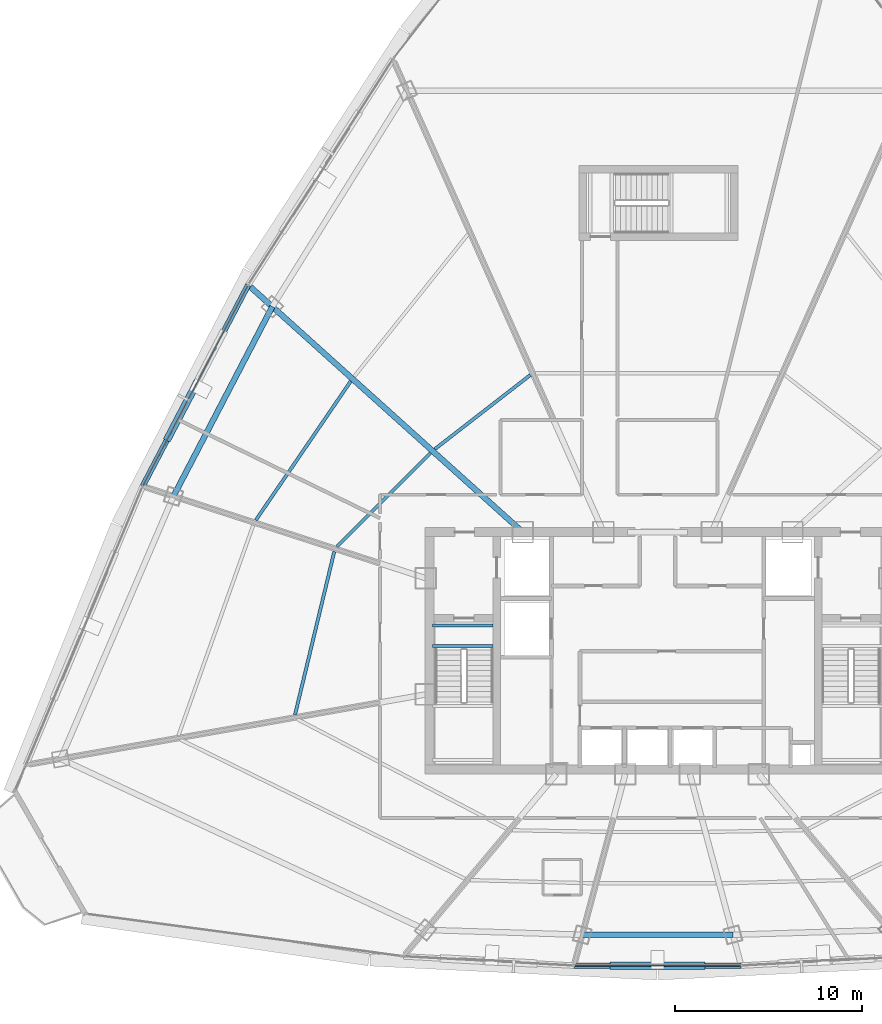
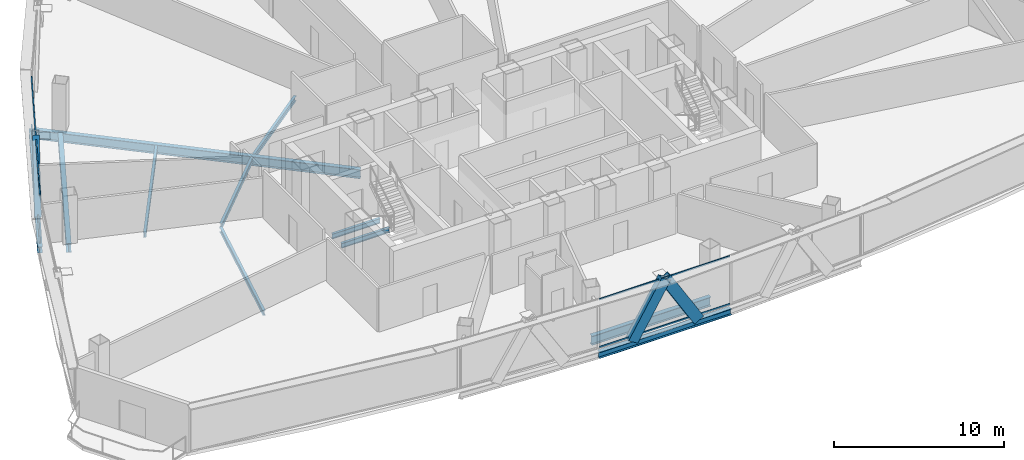
# One storey, part 9 of 37: 11 beams, 7 members, 2 elements without a shape of their own.
"""IFC4 building model written with IfcOpenShell, lengths in metres."""

from ifc_helpers import new_model, si_unit, direction, frame, origin, origin_2d, place, context, subcontext, project, spatial, hollow_rectangle, i_section, extrude, source, transform, mapped, material, layer, layer_set, material_profile, profile_set, type_object, element, aggregate, save


model = new_model("IFC4")

# Units and contexts
model_context = context("Model", 3, precision=1e-05, world=origin(), true_north=direction((0.0, 1.0)))
body_context = subcontext(model_context, "Body", "Model", "MODEL_VIEW")
ifc_project = project(units=[si_unit("LENGTHUNIT", "METRE"), si_unit("AREAUNIT", "SQUARE_METRE"), si_unit("VOLUMEUNIT", "CUBIC_METRE"), si_unit("PLANEANGLEUNIT", "RADIAN"), si_unit("MASSUNIT", "GRAM", prefix="KILO"), si_unit("THERMODYNAMICTEMPERATUREUNIT", "KELVIN"), si_unit("POWERUNIT", "WATT")], contexts=[model_context])

# Site, building, storey
site_placement = place(None, origin())
site = spatial("IfcSite", under=ifc_project, at=site_placement, CompositionType="ELEMENT")
building_placement = place(site_placement, origin())
building = spatial("IfcBuilding", under=site, at=building_placement, Name="Yunzhuo Pagoda Commons", CompositionType="ELEMENT")
storey_placement = place(building_placement, frame((0.0, 0.0, 259.449951171875)))
storey = spatial("IfcBuildingStorey", under=building, at=storey_placement, Name="L65", CompositionType="ELEMENT", Elevation=259.449951171875)

# Beams
ifc_material_1 = material(Name="Structural steel Q355B", Category="steel")
ifc_material_profile_1 = material_profile(ifc_material_1, i_section(OverallWidth=0.175048828125, OverallDepth=0.35009765625, WebThickness=0.007080078125, FlangeThickness=0.010986328125, at=origin_2d()), Name="Structural steel Q355B")
ifc_profile_set_1 = profile_set([ifc_material_profile_1], Name="Structural steel Q355B")
beam_type_1 = type_object("IfcBeamType", Name="B-JS2 Joist HN 350x175x7x11", PredefinedType="JOIST", material=ifc_profile_set_1)
shared_shape_1 = source(origin(), body_context, "Body", "SweptSolid", [
    extrude(i_section(OverallWidth=0.175048828125, OverallDepth=0.35009765625, WebThickness=0.007080078125, FlangeThickness=0.010986328125, at=origin_2d()), origin(), (0.0, 0.0, 1.0), 3.25),
])
for number, where, z_axis, x_axis, name in (
    (1, (35.949951171875, 34.10009765625, -0.375), (1.0, 0.0, 0.0), (0.0, 1.0, 0.0), "L65 ST1 landing support beam 169A"),
    (2, (35.949951171875, 35.199951171875, -0.375), (1.0, 0.0, 0.0), (0.0, 1.0, 0.0), "L65 ST1 landing support beam 169B"),
):
    element("IfcBeam", number, at=place(storey_placement, frame(where, z_axis=z_axis, x_axis=x_axis)), inside=storey, type_object=beam_type_1, Name=name, PredefinedType="JOIST", context=body_context, shape_type="MappedRepresentation", body=[
        mapped(shared_shape_1, transform((0.0, 0.0, 0.0), scale=1.0)),
    ])
ifc_material_profile_2 = material_profile(ifc_material_1, i_section(OverallWidth=0.300048828125, OverallDepth=0.64990234375, WebThickness=0.012939453125, FlangeThickness=0.02197265625, at=origin_2d()), Name="Structural steel Q355B")
ifc_profile_set_2 = profile_set([ifc_material_profile_2], Name="Structural steel Q355B")
beam_type_2 = type_object("IfcBeamType", Name="B-RG2 Beam HN 650x300x13x22", PredefinedType="BEAM", material=ifc_profile_set_2)
shared_shape_2 = source(origin(), body_context, "Body", "SweptSolid", [
    extrude(i_section(OverallWidth=0.300048828125, OverallDepth=0.64990234375, WebThickness=0.012939453125, FlangeThickness=0.02197265625, at=origin_2d()), origin(), (0.0, 0.0, 1.0), 8.06298828125),
])
beam_1_placement = place(storey_placement, frame((43.968505859375, 18.654052734375, -0.5849609375), z_axis=(1.0, 0.0, 0.0), x_axis=(0.0, 1.0, 0.0)))
element("IfcBeam", 3, at=beam_1_placement, inside=storey, type_object=beam_type_2, Name="L65 column-ring beam 2", PredefinedType="BEAM", context=body_context, shape_type="MappedRepresentation", body=[
    mapped(shared_shape_2, transform((0.0, 0.0, 0.0), scale=1.0)),
])
shared_shape_3 = source(origin(), body_context, "Body", "SweptSolid", [
    extrude(i_section(OverallWidth=0.300048828125, OverallDepth=0.64990234375, WebThickness=0.012939453125, FlangeThickness=0.02197265625, at=origin_2d()), origin(), (0.0, 0.0, 1.0), 11.43896484375),
])
beam_2_placement = place(storey_placement, frame((27.38818359375, 52.259033203125, -0.5849609375), z_axis=(-0.462142168026, -0.886805850529, 0.0), x_axis=(0.886805850529, -0.462142168026, 0.0)))
element("IfcBeam", 4, at=beam_2_placement, inside=storey, type_object=beam_type_2, Name="L65 column-ring beam 10", PredefinedType="BEAM", context=body_context, shape_type="MappedRepresentation", body=[
    mapped(shared_shape_3, transform((0.0, 0.0, 0.0), scale=1.0)),
])
shared_shape_4 = source(origin(), body_context, "Body", "SweptSolid", [
    extrude(i_section(OverallWidth=0.175048828125, OverallDepth=0.35009765625, WebThickness=0.007080078125, FlangeThickness=0.010986328125, at=origin_2d()), origin(), (0.0, 0.0, 1.0), 8.973876953125),
])
beam_3_placement = place(storey_placement, frame((30.703369140625, 39.1533203125, -0.43505859375), z_axis=(-0.233807152827, -0.972282991359, 0.0), x_axis=(0.972282991359, -0.233807152827, 0.0)))
element("IfcBeam", 5, at=beam_3_placement, inside=storey, type_object=beam_type_1, Name="L65 composite ring joist 1.11", PredefinedType="JOIST", context=body_context, shape_type="MappedRepresentation", body=[
    mapped(shared_shape_4, transform((0.0, 0.0, 0.0), scale=1.0)),
])
shared_shape_5 = source(origin(), body_context, "Body", "SweptSolid", [
    extrude(i_section(OverallWidth=0.175048828125, OverallDepth=0.35009765625, WebThickness=0.007080078125, FlangeThickness=0.010986328125, at=origin_2d()), origin(), (0.0, 0.0, 1.0), 7.0732421875),
])
beam_4_placement = place(storey_placement, frame((35.847412109375, 44.4287109375, -0.43505859375), z_axis=(-0.706139657206, -0.708072584218, 0.0), x_axis=(0.708072584218, -0.706139657206, 0.0)))
element("IfcBeam", 6, at=beam_4_placement, inside=storey, type_object=beam_type_1, Name="L65 composite ring joist 1.10", PredefinedType="JOIST", context=body_context, shape_type="MappedRepresentation", body=[
    mapped(shared_shape_5, transform((0.0, 0.0, 0.0), scale=1.0)),
])
shared_shape_6 = source(origin(), body_context, "Body", "SweptSolid", [
    extrude(i_section(OverallWidth=0.175048828125, OverallDepth=0.35009765625, WebThickness=0.007080078125, FlangeThickness=0.010986328125, at=origin_2d()), origin(), (0.0, 0.0, 1.0), 8.99365234375),
])
beam_5_placement = place(storey_placement, frame((31.583984375, 48.268798828125, -0.43505859375), z_axis=(-0.564098900337, -0.825707230584, 0.0), x_axis=(0.825707230584, -0.564098900337, 0.0)))
element("IfcBeam", 7, at=beam_5_placement, inside=storey, type_object=beam_type_1, Name="L65 composite ring joist 2.10", PredefinedType="JOIST", context=body_context, shape_type="MappedRepresentation", body=[
    mapped(shared_shape_6, transform((0.0, 0.0, 0.0), scale=1.0)),
])
shared_shape_7 = source(origin(), body_context, "Body", "SweptSolid", [
    extrude(i_section(OverallWidth=0.175048828125, OverallDepth=0.35009765625, WebThickness=0.007080078125, FlangeThickness=0.010986328125, at=origin_2d()), origin(), (0.0, 0.0, 1.0), 6.4677734375),
])
beam_6_placement = place(storey_placement, frame((41.19580078125, 48.602783203125, -0.43505859375), z_axis=(-0.790160481991, -0.612900002202, 0.0), x_axis=(0.612900002202, -0.790160481991, 0.0)))
element("IfcBeam", 8, at=beam_6_placement, inside=storey, type_object=beam_type_1, Name="L65 composite ring joist 1.9", PredefinedType="JOIST", context=body_context, shape_type="MappedRepresentation", body=[
    mapped(shared_shape_7, transform((0.0, 0.0, 0.0), scale=1.0)),
])
shared_shape_8 = source(origin(), body_context, "Body", "SweptSolid", [
    extrude(i_section(OverallWidth=0.300048828125, OverallDepth=0.64990234375, WebThickness=0.012939453125, FlangeThickness=0.02197265625, at=origin_2d()), origin(), (0.0, 0.0, 1.0), 19.60302734375),
])
beam_7_placement = place(storey_placement, frame((26.21337890625, 53.317138671875, -0.5849609375), z_axis=(0.743133733174, -0.669142925405, 0.0), x_axis=(0.669142925405, 0.743133733174, 0.0)))
element("IfcBeam", 9, at=beam_7_placement, inside=storey, type_object=beam_type_2, Name="L65 radial floor girder F3C2", PredefinedType="BEAM", context=body_context, shape_type="MappedRepresentation", body=[
    mapped(shared_shape_8, transform((0.0, 0.0, 0.0), scale=1.0)),
])
ifc_material_profile_3 = material_profile(ifc_material_1, i_section(OverallWidth=0.300048828125, OverallDepth=0.43994140625, WebThickness=0.010986328125, FlangeThickness=0.01806640625, at=origin_2d()), Name="Structural steel Q355B")
ifc_profile_set_3 = profile_set([ifc_material_profile_3], Name="Structural steel Q355B")
beam_type_3 = type_object("IfcBeamType", Name="B-SP2 Beam HM 440x300x11x18", PredefinedType="BEAM", material=ifc_profile_set_3)
shared_shape_9 = source(origin(), body_context, "Body", "SweptSolid", [
    extrude(i_section(OverallWidth=0.300048828125, OverallDepth=0.43994140625, WebThickness=0.010986328125, FlangeThickness=0.01806640625, at=origin_2d()), origin(), (0.0, 0.0, 1.0), 8.947265625),
])
beam_8_placement = place(storey_placement, frame((43.5263671875, 17.004638671875, -0.47998046875), z_axis=(1.0, 0.0, 0.0), x_axis=(0.0, 1.0, 0.0)))
element("IfcBeam", 10, at=beam_8_placement, inside=storey, type_object=beam_type_3, Name="L65 facade edge spandrel beam F1.2", PredefinedType="BEAM", context=body_context, shape_type="MappedRepresentation", body=[
    mapped(shared_shape_9, transform((0.0, 0.0, 0.0), scale=1.0)),
])
shared_shape_10 = source(origin(), body_context, "Body", "SweptSolid", [
    extrude(i_section(OverallWidth=0.300048828125, OverallDepth=0.43994140625, WebThickness=0.010986328125, FlangeThickness=0.01806640625, at=origin_2d()), origin(), (0.0, 0.0, 1.0), 12.15966796875),
])
beam_9_placement = place(storey_placement, frame((26.098388671875, 53.420654296875, -0.47998046875), z_axis=(-0.464198294377, -0.885731304345, 0.0), x_axis=(0.885731304345, -0.464198294377, 0.0)))
element("IfcBeam", 11, at=beam_9_placement, inside=storey, type_object=beam_type_3, Name="L65 facade edge spandrel beam F3.2", PredefinedType="BEAM", context=body_context, shape_type="MappedRepresentation", body=[
    mapped(shared_shape_10, transform((0.0, 0.0, 0.0), scale=1.0)),
])

# Members
ifc_material_profile_4 = material_profile(ifc_material_1, hollow_rectangle(XDim=0.39990234375, YDim=0.719970703125, WallThickness=0.02392578125, at=origin_2d()), Name="Structural steel Q355B")
ifc_profile_set_4 = profile_set([ifc_material_profile_4], Name="Structural steel Q355B")
member_type_1 = type_object("IfcMemberType", Name="M-DL2 Brace BOX 720x400x24", PredefinedType="BRACE", material=ifc_profile_set_4)
shared_shape_11 = source(origin(), body_context, "Body", "SweptSolid", [
    extrude(hollow_rectangle(XDim=0.39990234375, YDim=0.719970703125, WallThickness=0.02392578125, at=origin_2d()), origin(), (0.0, 0.0, 1.0), 4.349365234375),
])
for number, where, z_axis, x_axis, name in (
    (12, (45.76318359375, 17.004638671875, -0.260009765625), (0.514297622499, 0.0, 0.857611774343), (0.0, 1.0, 0.0), "L65 facade diamond brace F1.2L"),
    (13, (50.23681640625, 17.004638671875, -0.260009765625), (-0.514297622499, 0.0, 0.857611774343), (0.0, -1.0, 0.0), "L65 facade diamond brace F1.2R"),
):
    element("IfcMember", number, at=place(storey_placement, frame(where, z_axis=z_axis, x_axis=x_axis)), inside=storey, type_object=member_type_1, Name=name, PredefinedType="BRACE", context=body_context, shape_type="MappedRepresentation", body=[
        mapped(shared_shape_11, transform((0.0, 0.0, 0.0), scale=1.0)),
    ])
shared_shape_12 = source(origin(), body_context, "Body", "SweptSolid", [
    extrude(hollow_rectangle(XDim=0.39990234375, YDim=0.719970703125, WallThickness=0.02392578125, at=origin_2d()), origin(), (0.0, 0.0, 1.0), 4.811767578125),
])
member_1_placement = place(storey_placement, frame((21.864990234375, 45.343017578125, -0.260009765625), z_axis=(0.293221495138, 0.55955124561, 0.775192594344), x_axis=(-0.885751346569, 0.464160050038, 0.0)))
element("IfcMember", 14, at=member_1_placement, inside=storey, type_object=member_type_1, Name="L65 facade diamond brace F3.2R", PredefinedType="BRACE", context=body_context, shape_type="MappedRepresentation", body=[
    mapped(shared_shape_12, transform((0.0, 0.0, 0.0), scale=1.0)),
])

# Curtain wall, members
ifc_material_2 = material(Name="Anodized aluminium 6063-T6", Category="aluminium")
ifc_layer = layer(ifc_material_2, 0.139892578125)
ifc_layer_set = layer_set([ifc_layer], Name="Anodized aluminium 6063-T6")
curtain_wall_type = type_object("IfcCurtainWallType", Name="CW-HI High-Zone Ribbon Curtain Wall", PredefinedType="NOTDEFINED", material=ifc_layer_set)
curtain_wall_1_placement = place(storey_placement, origin())
curtain_wall_1 = element("IfcCurtainWall", 15, at=curtain_wall_1_placement, inside=storey, type_object=curtain_wall_type, Name="L65 curtain wall CW-L65-F1B3", PredefinedType="NOTDEFINED")
ifc_material_profile_5 = material_profile(ifc_material_2, hollow_rectangle(XDim=0.054931640625, YDim=0.1201171875, WallThickness=0.00341796875, at=origin_2d()), Name="Anodized aluminium 6063-T6")
ifc_profile_set_5 = profile_set([ifc_material_profile_5], Name="Anodized aluminium 6063-T6")
member_type_2 = type_object("IfcMemberType", Name="CW-HI-T Transom RHS 120x55x3.5", PredefinedType="USERDEFINED", material=ifc_profile_set_5)
shared_shape_13 = source(origin(), body_context, "Body", "SweptSolid", [
    extrude(hollow_rectangle(XDim=0.054931640625, YDim=0.1201171875, WallThickness=0.00341796875, at=origin_2d()), origin(), (0.0, 0.0, 1.0), 8.8271484375),
])
member_2_placement = place(storey_placement, frame((43.58642578125, 17.004638671875, 0.027587890625), z_axis=(1.0, 0.0, 0.0), x_axis=(0.0, 1.0, 0.0)))
member_2 = element("IfcMember", 16, at=member_2_placement, type_object=member_type_2, Name="CW transom 1.1", ObjectType="TRANSOM", PredefinedType="USERDEFINED", context=body_context, shape_type="MappedRepresentation", body=[
    mapped(shared_shape_13, transform((0.0, 0.0, 0.0), scale=1.0)),
])
member_3_placement = place(storey_placement, frame((43.58642578125, 17.004638671875, 3.442626953125), z_axis=(1.0, 0.0, 0.0), x_axis=(0.0, 1.0, 0.0)))
member_3 = element("IfcMember", 17, at=member_3_placement, type_object=member_type_2, Name="CW transom 1.2", ObjectType="TRANSOM", PredefinedType="USERDEFINED", context=body_context, shape_type="MappedRepresentation", body=[
    mapped(shared_shape_13, transform((0.0, 0.0, 0.0), scale=1.0)),
])
aggregate(curtain_wall_1, [member_2, member_3])

curtain_wall_2_placement = place(storey_placement, origin())
curtain_wall_2 = element("IfcCurtainWall", 18, at=curtain_wall_2_placement, inside=storey, type_object=curtain_wall_type, Name="L65 curtain wall CW-L65-F3B3", PredefinedType="NOTDEFINED")
shared_shape_14 = source(origin(), body_context, "Body", "SweptSolid", [
    extrude(hollow_rectangle(XDim=0.054931640625, YDim=0.1201171875, WallThickness=0.00341796875, at=origin_2d()), origin(), (0.0, 0.0, 1.0), 12.039794921875),
])
member_4_placement = place(storey_placement, frame((26.070556640625, 53.367431640625, 0.027587890625), z_axis=(-0.464182018036, -0.885739834337, 0.0), x_axis=(0.885739834337, -0.464182018036, 0.0)))
member_4 = element("IfcMember", 19, at=member_4_placement, type_object=member_type_2, Name="CW transom 1.1", ObjectType="TRANSOM", PredefinedType="USERDEFINED", context=body_context, shape_type="MappedRepresentation", body=[
    mapped(shared_shape_14, transform((0.0, 0.0, 0.0), scale=1.0)),
])
member_5_placement = place(storey_placement, frame((26.070556640625, 53.367431640625, 3.442626953125), z_axis=(-0.464182018036, -0.885739834337, 0.0), x_axis=(0.885739834337, -0.464182018036, 0.0)))
member_5 = element("IfcMember", 20, at=member_5_placement, type_object=member_type_2, Name="CW transom 1.2", ObjectType="TRANSOM", PredefinedType="USERDEFINED", context=body_context, shape_type="MappedRepresentation", body=[
    mapped(shared_shape_14, transform((0.0, 0.0, 0.0), scale=1.0)),
])
aggregate(curtain_wall_2, [member_4, member_5])

save(model, "model.ifc")
